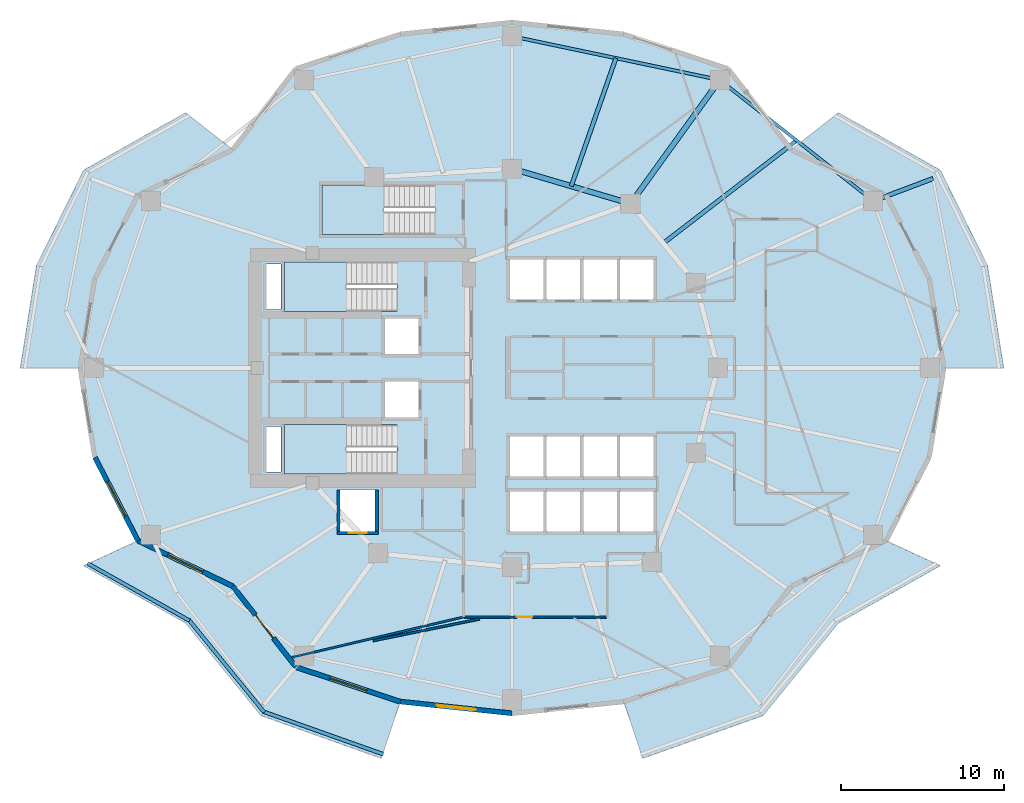
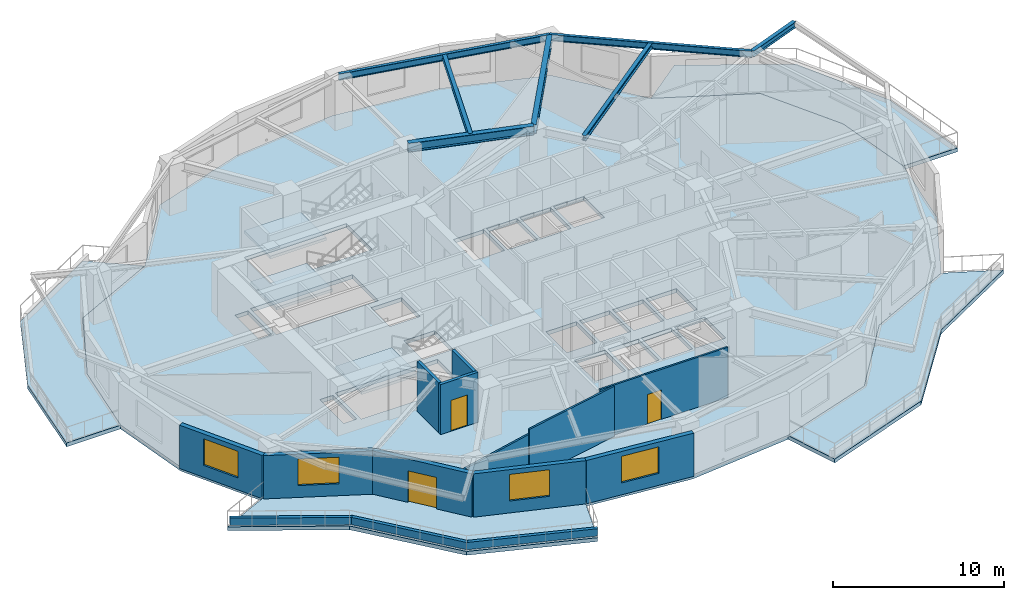
# One storey, part 2 of 11: 14 walls, 8 slabs, 7 beams, 4 windows, 3 doors, 7 openings, 3 elements without a shape of their own.
"""IFC4 building model written with IfcOpenShell, lengths in metres."""

from ifc_helpers import new_model, si_unit, direction, frame, frame_2d, origin, origin_2d, place, context, subcontext, project, spatial, polyline, rectangle, i_section, outline, extrude, material, layer, layer_set, material_profile, profile_set, type_object, element, fill, aggregate, save


model = new_model("IFC4")

# Units and contexts
model_context = context("Model", 3, precision=1e-05, world=origin(), true_north=direction((0.0, 1.0)))
body_context = subcontext(model_context, "Body", "Model", "MODEL_VIEW")
ifc_project = project(units=[si_unit("LENGTHUNIT", "METRE"), si_unit("AREAUNIT", "SQUARE_METRE"), si_unit("VOLUMEUNIT", "CUBIC_METRE"), si_unit("PLANEANGLEUNIT", "RADIAN"), si_unit("MASSUNIT", "GRAM", prefix="KILO")], contexts=[model_context])

# Site, building, storey
site_placement = place(None, origin())
site = spatial("IfcSite", under=ifc_project, at=site_placement, CompositionType="ELEMENT")
building_placement = place(site_placement, origin())
building = spatial("IfcBuilding", under=site, at=building_placement, Name="Kolvaren Gate Tower and Convention Centre", CompositionType="ELEMENT")
storey_placement = place(building_placement, frame((0.0, 0.0, 88.10009765625)))
storey = spatial("IfcBuildingStorey", under=building, at=storey_placement, Name="L21", CompositionType="ELEMENT", Elevation=88.10009765625)

# Beams
ifc_material_1 = material(Name="Structural steel ASTM A992 Grade 345 MPa", Category="steel")
ifc_material_profile_1 = material_profile(ifc_material_1, i_section(OverallWidth=0.260009765625, OverallDepth=0.419921875, WebThickness=0.013427734375, FlangeThickness=0.0224609375, at=origin_2d()), Name="W410X132")
ifc_profile_set_1 = profile_set([ifc_material_profile_1], Name="Structural steel ASTM A992 Grade 345 MPa")
beam_type_1 = type_object("IfcBeamType", Name="STR-BM-W410X132", PredefinedType="BEAM", material=ifc_profile_set_1)
beam_1_placement = place(storey_placement, frame((52.248779296875, 37.218505859375, 3.3603515625), z_axis=(0.935601718951, 0.353057252434, 0.0), x_axis=(-0.353057252434, 0.935601718951, 0.0)))
element("IfcBeam", 1, at=beam_1_placement, inside=storey, type_object=beam_type_1, Name="Tower L22 Planted Balcony Outrigger Cantilever BC-1B", PredefinedType="BEAM", context=body_context, shape_type="SweptSolid", body=[
    extrude(i_section(OverallWidth=0.260009765625, OverallDepth=0.419921875, WebThickness=0.013427734375, FlangeThickness=0.0224609375, at=origin_2d()), origin(), (0.0, 0.0, 1.0), 3.900146484375),
])
ifc_material_profile_2 = material_profile(ifc_material_1, i_section(OverallWidth=0.327880859375, OverallDepth=0.6279296875, WebThickness=0.0166015625, FlangeThickness=0.027587890625, at=origin_2d()), Name="W610X217")
ifc_profile_set_2 = profile_set([ifc_material_profile_2], Name="Structural steel ASTM A992 Grade 345 MPa")
beam_type_2 = type_object("IfcBeamType", Name="STR-BM-W610X217", PredefinedType="BEAM", material=ifc_profile_set_2)
beam_2_placement = place(storey_placement, frame((37.381591796875, 37.054931640625, 3.255859375), z_axis=(-0.958980837827, 0.283470902706, 0.0), x_axis=(-0.283470902706, -0.958980837827, 0.0)))
element("IfcBeam", 2, at=beam_2_placement, inside=storey, type_object=beam_type_2, Name="Tower L21 Primary Ring Girder G-03", PredefinedType="BEAM", context=body_context, shape_type="SweptSolid", body=[
    extrude(i_section(OverallWidth=0.327880859375, OverallDepth=0.6279296875, WebThickness=0.0166015625, FlangeThickness=0.027587890625, at=origin_2d()), origin(), (0.0, 0.0, 1.0), 7.56689453125),
])
beam_3_placement = place(storey_placement, frame((37.381591796875, 37.054931640625, 3.255859375), z_axis=(0.585207971848, 0.810883240477, 0.0), x_axis=(-0.810883240477, 0.585207971848, 0.0)))
element("IfcBeam", 3, at=beam_3_placement, inside=storey, type_object=beam_type_2, Name="Tower L21 Radial Floor Girder RB-03", PredefinedType="BEAM", context=body_context, shape_type="SweptSolid", body=[
    extrude(i_section(OverallWidth=0.327880859375, OverallDepth=0.6279296875, WebThickness=0.0166015625, FlangeThickness=0.027587890625, at=origin_2d()), origin(), (0.0, 0.0, 1.0), 9.33837890625),
])
ifc_material_profile_3 = material_profile(ifc_material_1, i_section(OverallWidth=0.2548828125, OverallDepth=0.35693359375, WebThickness=0.010498046875, FlangeThickness=0.018310546875, at=origin_2d()), Name="W360X101")
ifc_profile_set_3 = profile_set([ifc_material_profile_3], Name="Structural steel ASTM A992 Grade 345 MPa")
beam_type_3 = type_object("IfcBeamType", Name="STR-JS-W360X101", PredefinedType="JOIST", material=ifc_profile_set_3)
beam_4_placement = place(storey_placement, frame((39.3818359375, 34.627197265625, 3.391357421875), z_axis=(0.791953664744, 0.610581192716, 0.0), x_axis=(-0.610581192716, 0.791953664744, 0.0)))
element("IfcBeam", 4, at=beam_4_placement, inside=storey, type_object=beam_type_3, Name="Tower L21 Secondary Composite Floor Joist J-02.1", PredefinedType="JOIST", context=body_context, shape_type="SweptSolid", body=[
    extrude(i_section(OverallWidth=0.2548828125, OverallDepth=0.35693359375, WebThickness=0.010498046875, FlangeThickness=0.018310546875, at=origin_2d()), origin(), (0.0, 0.0, 1.0), 10.31103515625),
])
beam_5_placement = place(storey_placement, frame((33.75341796875, 38.12744140625, 3.391357421875), z_axis=(0.329233693857, 0.944248470917, 0.0), x_axis=(-0.944248470917, 0.329233693857, 0.0)))
element("IfcBeam", 5, at=beam_5_placement, inside=storey, type_object=beam_type_3, Name="Tower L21 Secondary Composite Floor Joist J-03.1", PredefinedType="JOIST", context=body_context, shape_type="SweptSolid", body=[
    extrude(i_section(OverallWidth=0.2548828125, OverallDepth=0.35693359375, WebThickness=0.010498046875, FlangeThickness=0.018310546875, at=origin_2d()), origin(), (0.0, 0.0, 1.0), 8.298583984375),
])
ifc_material_profile_4 = material_profile(ifc_material_1, i_section(OverallWidth=0.194091796875, OverallDepth=0.468994140625, WebThickness=0.0126953125, FlangeThickness=0.0205078125, at=origin_2d()), Name="W460X106")
ifc_profile_set_4 = profile_set([ifc_material_profile_4], Name="Structural steel ASTM A992 Grade 345 MPa")
beam_type_4 = type_object("IfcBeamType", Name="STR-SP-W460X106", PredefinedType="SPANDREL", material=ifc_profile_set_4)
beam_6_placement = place(storey_placement, frame((52.248779296875, 37.218505859375, 3.33544921875), z_axis=(-0.785459824636, 0.618912646407, 0.0), x_axis=(-0.618912646407, -0.785459824636, 0.0)))
element("IfcBeam", 6, at=beam_6_placement, inside=storey, type_object=beam_type_4, Name="Tower L21 Perimeter Spandrel Beam SP-02", PredefinedType="SPANDREL", context=body_context, shape_type="SweptSolid", body=[
    extrude(i_section(OverallWidth=0.194091796875, OverallDepth=0.468994140625, WebThickness=0.0126953125, FlangeThickness=0.0205078125, at=origin_2d()), origin(), (0.0, 0.0, 1.0), 11.970458984375),
])
beam_7_placement = place(storey_placement, frame((42.846435546875, 44.627197265625, 3.33544921875), z_axis=(-0.978632602148, 0.205616706552, 0.0), x_axis=(-0.205616706552, -0.978632602148, 0.0)))
element("IfcBeam", 7, at=beam_7_placement, inside=storey, type_object=beam_type_4, Name="Tower L21 Perimeter Spandrel Beam SP-03", PredefinedType="SPANDREL", context=body_context, shape_type="SweptSolid", body=[
    extrude(i_section(OverallWidth=0.194091796875, OverallDepth=0.468994140625, WebThickness=0.0126953125, FlangeThickness=0.0205078125, at=origin_2d()), origin(), (0.0, 0.0, 1.0), 12.999267578125),
])

# Slabs
ifc_material_2 = material(Name="Concrete C50/60", Category="concrete")
ifc_layer_1 = layer(ifc_material_2, 0.27001953125)
ifc_layer_set_1 = layer_set([ifc_layer_1], Name="Concrete C50/60")
slab_type_1 = type_object("IfcSlabType", Name="STR-SL-BALC-270", PredefinedType="FLOOR", material=ifc_layer_set_1)
slab_1_placement = place(storey_placement, frame((0.0, 0.0, -0.27001953125)))
element("IfcSlab", 8, at=slab_1_placement, inside=storey, type_object=slab_type_1, Name="Tower L21 Planted Balcony Terrace Slab 1 (East)", PredefinedType="FLOOR", context=body_context, shape_type="SweptSolid", body=[
    extrude(outline(polyline([(56.5625, 27.0), (55.66162109375, 32.47412109375), (53.0205078125, 37.574951171875), (47.223876953125, 40.360107421875), (50.10791015625, 42.613525390625), (56.34326171875, 39.109619140625), (59.240478515625, 33.2412109375), (60.222412109375, 27.0), (56.5625, 27.0)])), origin(), (0.0, 0.0, 1.0), 0.27001953125),
])
slab_2_placement = place(storey_placement, frame((0.0, 0.0, -0.27001953125)))
element("IfcSlab", 9, at=slab_2_placement, inside=storey, type_object=slab_type_1, Name="Tower L21 Planted Balcony Terrace Slab 2 (West)", PredefinedType="FLOOR", context=body_context, shape_type="SweptSolid", body=[
    extrude(outline(polyline([(13.026123046875, 40.360107421875), (7.2294921875, 37.574951171875), (4.58837890625, 32.47412109375), (3.6875, 27.0), (0.027587890625, 27.0), (1.009521484375, 33.2412109375), (3.90673828125, 39.109619140625), (10.14208984375, 42.613525390625), (13.026123046875, 40.360107421875)])), origin(), (0.0, 0.0, 1.0), 0.27001953125),
])
slab_3_placement = place(storey_placement, frame((0.0, 0.0, -0.27001953125)))
element("IfcSlab", 10, at=slab_3_placement, inside=storey, type_object=slab_type_1, Name="Tower L21 Planted Balcony Terrace Slab 3 (South)", PredefinedType="FLOOR", context=body_context, shape_type="SweptSolid", body=[
    extrude(outline(polyline([(7.2294921875, 16.425048828125), (13.026123046875, 13.639892578125), (16.90625, 8.68359375), (23.282470703125, 6.57080078125), (22.1201171875, 3.10009765625), (14.764404296875, 5.7158203125), (10.14208984375, 11.386474609375), (3.90673828125, 14.890380859375), (7.2294921875, 16.425048828125)])), origin(), (0.0, 0.0, 1.0), 0.27001953125),
])
slab_4_placement = place(storey_placement, frame((0.0, 0.0, -0.27001953125)))
element("IfcSlab", 11, at=slab_4_placement, inside=storey, type_object=slab_type_1, Name="Tower L21 Planted Balcony Terrace Slab 4 (South)", PredefinedType="FLOOR", context=body_context, shape_type="SweptSolid", body=[
    extrude(outline(polyline([(36.967529296875, 6.57080078125), (43.34375, 8.68359375), (47.223876953125, 13.639892578125), (53.0205078125, 16.425048828125), (56.34326171875, 14.890380859375), (50.10791015625, 11.386474609375), (45.485595703125, 5.7158203125), (38.1298828125, 3.10009765625), (36.967529296875, 6.57080078125)])), origin(), (0.0, 0.0, 1.0), 0.27001953125),
])
ifc_layer_2 = layer(ifc_material_2, 0.280029296875)
ifc_layer_set_2 = layer_set([ifc_layer_2], Name="Concrete C50/60")
slab_type_2 = type_object("IfcSlabType", Name="STR-SL-FLR-280", PredefinedType="FLOOR", material=ifc_layer_set_2)
slab_5_placement = place(storey_placement, frame((0.0, 0.0, -0.280029296875)))
element("IfcSlab", 12, at=slab_5_placement, inside=storey, type_object=slab_type_2, Name="Tower L21 Structural Floor Slab", PredefinedType="FLOOR", context=body_context, shape_type="SweptSolid", body=[
    extrude(outline(polyline([(56.5625, 27.0), (55.66162109375, 32.47412109375), (53.0205078125, 37.574951171875), (47.223876953125, 40.360107421875), (43.34375, 45.31640625), (36.967529296875, 47.42919921875), (30.125, 48.14990234375), (23.282470703125, 47.42919921875), (16.90625, 45.31640625), (13.026123046875, 40.360107421875), (7.2294921875, 37.574951171875), (4.58837890625, 32.47412109375), (3.6875, 27.0), (4.58837890625, 21.52587890625), (7.2294921875, 16.425048828125), (13.026123046875, 13.639892578125), (16.90625, 8.68359375), (23.282470703125, 6.57080078125), (30.125, 5.85009765625), (36.967529296875, 6.57080078125), (43.34375, 8.68359375), (47.223876953125, 13.639892578125), (53.0205078125, 16.425048828125), (55.66162109375, 21.52587890625), (56.5625, 27.0)]), holes=[polyline([(36.75, 33.64990234375), (38.800048828125, 33.64990234375), (38.800048828125, 31.199951171875), (36.75, 31.199951171875), (36.75, 33.64990234375)]), polyline([(36.75, 20.35009765625), (36.75, 22.800048828125), (38.800048828125, 22.800048828125), (38.800048828125, 20.35009765625), (36.75, 20.35009765625)]), polyline([(36.75, 17.0), (36.75, 19.449951171875), (38.800048828125, 19.449951171875), (38.800048828125, 17.0), (36.75, 17.0)]), polyline([(34.5, 33.64990234375), (36.550048828125, 33.64990234375), (36.550048828125, 31.199951171875), (34.5, 31.199951171875), (34.5, 33.64990234375)]), polyline([(34.5, 22.800048828125), (36.550048828125, 22.800048828125), (36.550048828125, 20.35009765625), (34.5, 20.35009765625), (34.5, 22.800048828125)]), polyline([(34.5, 17.0), (34.5, 19.449951171875), (36.550048828125, 19.449951171875), (36.550048828125, 17.0), (34.5, 17.0)]), polyline([(32.25, 31.199951171875), (32.25, 33.64990234375), (34.300048828125, 33.64990234375), (34.300048828125, 31.199951171875), (32.25, 31.199951171875)]), polyline([(32.25, 22.800048828125), (34.300048828125, 22.800048828125), (34.300048828125, 20.35009765625), (32.25, 20.35009765625), (32.25, 22.800048828125)]), polyline([(32.25, 17.0), (32.25, 19.449951171875), (34.300048828125, 19.449951171875), (34.300048828125, 17.0), (32.25, 17.0)]), polyline([(30.0, 31.199951171875), (30.0, 33.64990234375), (32.050048828125, 33.64990234375), (32.050048828125, 31.199951171875), (30.0, 31.199951171875)]), polyline([(30.0, 20.35009765625), (30.0, 22.800048828125), (32.050048828125, 22.800048828125), (32.050048828125, 20.35009765625), (30.0, 20.35009765625)]), polyline([(30.0, 17.0), (30.0, 19.449951171875), (32.050048828125, 19.449951171875), (32.050048828125, 17.0), (30.0, 17.0)]), polyline([(25.39990234375, 35.159912109375), (18.5, 35.159912109375), (18.5, 38.199951171875), (25.39990234375, 38.199951171875), (25.39990234375, 35.159912109375)]), polyline([(22.35009765625, 27.840087890625), (22.35009765625, 30.0400390625), (24.39990234375, 30.0400390625), (24.39990234375, 27.840087890625), (22.35009765625, 27.840087890625)]), polyline([(22.35009765625, 23.9599609375), (22.35009765625, 26.159912109375), (24.39990234375, 26.159912109375), (24.39990234375, 23.9599609375), (22.35009765625, 23.9599609375)]), polyline([(23.10009765625, 30.4599609375), (16.199951171875, 30.4599609375), (16.199951171875, 33.5), (23.10009765625, 33.5), (23.10009765625, 30.4599609375)]), polyline([(23.10009765625, 20.5), (16.199951171875, 20.5), (16.199951171875, 23.5400390625), (23.10009765625, 23.5400390625), (23.10009765625, 20.5)]), polyline([(19.60009765625, 17.0), (19.60009765625, 19.550048828125), (21.75, 19.550048828125), (21.75, 17.0), (19.60009765625, 17.0)]), polyline([(15.080078125, 23.419921875), (15.969970703125, 23.419921875), (15.969970703125, 20.6298828125), (15.080078125, 20.6298828125), (15.080078125, 23.419921875)]), polyline([(15.080078125, 30.580078125), (15.080078125, 33.3701171875), (15.969970703125, 33.3701171875), (15.969970703125, 30.580078125), (15.080078125, 30.580078125)])]), origin(), (0.0, 0.0, 1.0), 0.280029296875),
])

# Stair, slab
stair_type = type_object("IfcStairType", Name="STR-STAIR-CORE", PredefinedType="HALF_TURN_STAIR", material=ifc_material_2)
stair_1_placement = place(storey_placement, origin())
stair_1 = element("IfcStair", 13, at=stair_1_placement, inside=storey, type_object=stair_type, Name="L21 Tower North Exit Stair ST-T1", PredefinedType="HALF_TURN_STAIR")
ifc_layer_3 = layer(ifc_material_2, 0.199951171875)
ifc_layer_set_3 = layer_set([ifc_layer_3], Name="Concrete C50/60")
slab_type_3 = type_object("IfcSlabType", Name="STR-SL-LAND-200", PredefinedType="LANDING", material=ifc_layer_set_3)
slab_6_placement = place(storey_placement, frame((0.0, 0.0, 1.724853515625)))
slab_6 = element("IfcSlab", 14, at=slab_6_placement, type_object=slab_type_3, Name="ST-T1 landing 1", PredefinedType="LANDING", context=body_context, shape_type="SweptSolid", body=[
    extrude(outline(polyline([(20.0, 33.5), (16.199951171875, 33.5), (16.199951171875, 30.4599609375), (20.0, 30.4599609375), (20.0, 33.5)])), origin(), (0.0, 0.0, 1.0), 0.199951171875),
])
aggregate(stair_1, [slab_6])

stair_2_placement = place(storey_placement, origin())
stair_2 = element("IfcStair", 15, at=stair_2_placement, inside=storey, type_object=stair_type, Name="L21 Tower South Exit Stair ST-T2", PredefinedType="HALF_TURN_STAIR")
slab_7_placement = place(storey_placement, frame((0.0, 0.0, 1.724853515625)))
slab_7 = element("IfcSlab", 16, at=slab_7_placement, type_object=slab_type_3, Name="ST-T2 landing 1", PredefinedType="LANDING", context=body_context, shape_type="SweptSolid", body=[
    extrude(outline(polyline([(20.0, 23.5400390625), (16.199951171875, 23.5400390625), (16.199951171875, 20.5), (20.0, 20.5), (20.0, 23.5400390625)])), origin(), (0.0, 0.0, 1.0), 0.199951171875),
])
aggregate(stair_2, [slab_7])

stair_3_placement = place(storey_placement, origin())
stair_3 = element("IfcStair", 17, at=stair_3_placement, inside=storey, type_object=stair_type, Name="L21 Tower Mid-Zone Exit Stair ST-T3", PredefinedType="HALF_TURN_STAIR")
slab_8_placement = place(storey_placement, frame((0.0, 0.0, 1.724853515625)))
slab_8 = element("IfcSlab", 18, at=slab_8_placement, type_object=slab_type_3, Name="ST-T3 landing 1", PredefinedType="LANDING", context=body_context, shape_type="SweptSolid", body=[
    extrude(outline(polyline([(22.300048828125, 38.199951171875), (18.5, 38.199951171875), (18.5, 35.159912109375), (22.300048828125, 35.159912109375), (22.300048828125, 38.199951171875)])), origin(), (0.0, 0.0, 1.0), 0.199951171875),
])
aggregate(stair_3, [slab_8])

# Wall, opening, door
ifc_material_3 = material(Name="Fire-Rated Acoustic Gypsum Stud Partition", Category="gypsum")
ifc_layer_4 = layer(ifc_material_3, 0.1201171875)
ifc_layer_set_4 = layer_set([ifc_layer_4], Name="Fire-Rated Acoustic Gypsum Stud Partition")
wall_type_1 = type_object("IfcWallType", Name="ARCH-WL-PART-120", PredefinedType="PARTITIONING", material=ifc_layer_set_4)
wall_1_placement = place(storey_placement, frame((27.241943359375, 11.75, 0.0), z_axis=(0.0, 0.0, 1.0), x_axis=(1.0, 0.0, 0.0)))
wall_1 = element("IfcWall", 19, at=wall_1_placement, inside=storey, type_object=wall_type_1, Name="Interior Partition WL-L21-INT-025", PredefinedType="PARTITIONING", context=body_context, shape_type="SweptSolid", body=[
    extrude(rectangle(XDim=8.64599609375, YDim=0.1201171875, at=frame_2d((4.322998046875, 0.0))), origin(), (0.0, 0.0, 1.0), 3.56982421875),
])
opening_1_placement = place(wall_1_placement, frame((3.185546875, 0.0, 0.0)))
opening_1 = element("IfcOpeningElement", 20, at=opening_1_placement, cuts=wall_1, Name="Opening DR-01", PredefinedType="OPENING", context=body_context, shape_type="SweptSolid", body=[
    extrude(rectangle(XDim=0.949951171875, YDim=2.10009765625, at=frame_2d((0.47509765625, 1.050048828125))), frame((0.0, 0.070068359375, 0.0), z_axis=(0.0, -1.0, 0.0), x_axis=(1.0, 0.0, 0.0)), (0.0, 0.0, 1.0), 0.14013671875),
])
ifc_material_4 = material(Name="Painted Architectural Steelwork ASTM A500 Grade C 345 MPa", Category="steel")
door_type_1 = type_object("IfcDoorType", Name="ARCH-DR-RISER-950", OperationType="SINGLE_SWING_RIGHT", PredefinedType="DOOR", material=ifc_material_4)
door_1_placement = place(opening_1_placement, origin())
door_1 = element("IfcDoor", 21, at=door_1_placement, inside=storey, type_object=door_type_1, Name="Chairman Boardroom Door", OperationType="SINGLE_SWING_RIGHT", OverallHeight=2.10009765625, OverallWidth=0.949951171875, PredefinedType="DOOR", context=body_context, shape_type="SweptSolid", body=[
    extrude(rectangle(XDim=0.949951171875, YDim=2.10009765625, at=frame_2d((0.47509765625, 1.050048828125))), frame((0.0, 0.02490234375, 0.0), z_axis=(0.0, -1.0, 0.0), x_axis=(1.0, 0.0, 0.0)), (0.0, 0.0, 1.0), 0.050048828125),
])
fill(opening_1, door_1)

# Walls
wall_2_placement = place(storey_placement, frame((16.6337890625, 9.278076171875, 0.0), z_axis=(0.0, 0.0, 1.0), x_axis=(0.973467827541, 0.228823925195, 0.0)))
element("IfcWall", 22, at=wall_2_placement, inside=storey, type_object=wall_type_1, Name="Interior Partition WL-L21-INT-051", PredefinedType="PARTITIONING", context=body_context, shape_type="SweptSolid", body=[
    extrude(rectangle(XDim=10.802734375, YDim=0.1201171875, at=frame_2d((5.4013671875, 0.0))), origin(), (0.0, 0.0, 1.0), 3.093017578125),
])
wall_3_placement = place(storey_placement, frame((21.631591796875, 10.298583984375, 0.0), z_axis=(0.0, 0.0, 1.0), x_axis=(0.979686821634, 0.200533616924, 0.0)))
element("IfcWall", 23, at=wall_3_placement, inside=storey, type_object=wall_type_1, Name="Interior Partition WL-L21-INT-052", PredefinedType="PARTITIONING", context=body_context, shape_type="SweptSolid", body=[
    extrude(rectangle(XDim=6.629150390625, YDim=0.1201171875, at=frame_2d((3.314453125, 0.0))), origin(), (0.0, 0.0, 1.0), 3.56982421875),
])
ifc_material_5 = material(Name="Piedmont Cream Honed Limestone Cladding", Category="masonry")
ifc_layer_5 = layer(ifc_material_5, 0.219970703125)
ifc_layer_set_5 = layer_set([ifc_layer_5], Name="Piedmont Cream Honed Limestone Cladding")
wall_type_2 = type_object("IfcWallType", Name="ARCH-WL-PLANTER-220", PredefinedType="PARAPET", material=ifc_layer_set_5)
wall_4_placement = place(storey_placement, frame((4.14697265625, 15.034423828125, 0.0), z_axis=(0.0, 0.0, 1.0), x_axis=(0.871775109335, -0.489906275468, 0.0)))
element("IfcWall", 24, at=wall_4_placement, inside=storey, type_object=wall_type_2, Name="Vertical-Forest Balcony Stone Planter Kerb PK-L21-3.1", PredefinedType="PARAPET", context=body_context, shape_type="SweptSolid", body=[
    extrude(rectangle(XDim=7.152099609375, YDim=0.219970703125, at=frame_2d((3.576171875, 0.0))), origin(), (0.0, 0.0, 1.0), 0.52001953125),
])
wall_5_placement = place(storey_placement, frame((10.335693359375, 11.588623046875, 0.0), z_axis=(0.0, 0.0, 1.0), x_axis=(0.631819273026, -0.775115737315, 0.0)))
element("IfcWall", 25, at=wall_5_placement, inside=storey, type_object=wall_type_2, Name="Vertical-Forest Balcony Stone Planter Kerb PK-L21-3.2", PredefinedType="PARAPET", context=body_context, shape_type="SweptSolid", body=[
    extrude(rectangle(XDim=7.31591796875, YDim=0.219970703125, at=frame_2d((3.657958984375, 0.0))), origin(), (0.0, 0.0, 1.0), 0.52001953125),
])
wall_6_placement = place(storey_placement, frame((14.892822265625, 5.964599609375, 0.0), z_axis=(0.0, 0.0, 1.0), x_axis=(0.942203722205, -0.335040513764, 0.0)))
element("IfcWall", 26, at=wall_6_placement, inside=storey, type_object=wall_type_2, Name="Vertical-Forest Balcony Stone Planter Kerb PK-L21-3.3", PredefinedType="PARAPET", context=body_context, shape_type="SweptSolid", body=[
    extrude(rectangle(XDim=7.80712890625, YDim=0.219970703125, at=frame_2d((3.903564453125, 0.0))), origin(), (0.0, 0.0, 1.0), 0.52001953125),
])

# Wall, opening, door
ifc_material_6 = material(Name="Autoclaved Aerated Masonry Blockwork Class 4 (4.0 MPa)", Category="masonry")
ifc_layer_6 = layer(ifc_material_6, 0.199951171875)
ifc_layer_set_6 = layer_set([ifc_layer_6], Name="Autoclaved Aerated Masonry Blockwork Class 4 (4.0 MPa)")
wall_type_3 = type_object("IfcWallType", Name="ARCH-WL-SHAFT-200", PredefinedType="SOLIDWALL", material=ifc_layer_set_6)
wall_7_placement = place(storey_placement, frame((19.39990234375, 16.89990234375, 0.0), z_axis=(0.0, 0.0, 1.0), x_axis=(1.0, 0.0, 0.0)))
wall_7 = element("IfcWall", 27, at=wall_7_placement, inside=storey, type_object=wall_type_3, Name="Elevator SV-01 L21 Fire Shaft Wall S", PredefinedType="SOLIDWALL", context=body_context, shape_type="SweptSolid", body=[
    extrude(rectangle(XDim=2.550048828125, YDim=0.199951171875, at=frame_2d((1.27490234375, 0.0))), origin(), (0.0, 0.0, 1.0), 3.56982421875),
])
opening_2_placement = place(wall_7_placement, frame((0.72509765625, 0.0, 0.0)))
opening_2 = element("IfcOpeningElement", 28, at=opening_2_placement, cuts=wall_7, Name="Opening LD", PredefinedType="OPENING", context=body_context, shape_type="SweptSolid", body=[
    extrude(rectangle(XDim=1.10009765625, YDim=2.199951171875, at=frame_2d((0.550048828125, 1.10009765625))), frame((0.0, 0.10986328125, 0.0), z_axis=(0.0, -1.0, 0.0), x_axis=(1.0, 0.0, 0.0)), (0.0, 0.0, 1.0), 0.219970703125),
])
ifc_material_7 = material(Name="Brushed Stainless Steel Grade 316L", Category="steel")
door_type_2 = type_object("IfcDoorType", Name="ARCH-DR-LIFT-1100", OperationType="SLIDING_TO_LEFT", PredefinedType="DOOR", material=ifc_material_7)
door_2_placement = place(opening_2_placement, origin())
door_2 = element("IfcDoor", 29, at=door_2_placement, inside=storey, type_object=door_type_2, Name="Elevator SV-01 L21 Sliding Landing Door", OperationType="SLIDING_TO_LEFT", OverallHeight=2.199951171875, OverallWidth=1.10009765625, PredefinedType="DOOR", context=body_context, shape_type="SweptSolid", body=[
    extrude(rectangle(XDim=1.10009765625, YDim=2.199951171875, at=frame_2d((0.550048828125, 1.10009765625))), frame((0.0, 0.02490234375, 0.0), z_axis=(0.0, -1.0, 0.0), x_axis=(1.0, 0.0, 0.0)), (0.0, 0.0, 1.0), 0.050048828125),
])
fill(opening_2, door_2)

# Walls
for number, where, z_axis, x_axis, name in (
    (30, (19.5, 17.010009765625, 0.0), (0.0, 0.0, 1.0), (0.0, 1.0, 0.0), "Elevator SV-01 L21 Fire Shaft Wall W"),
    (31, (21.85009765625, 17.010009765625, 0.0), (0.0, 0.0, 1.0), (0.0, 1.0, 0.0), "Elevator SV-01 L21 Fire Shaft Wall E"),
):
    element("IfcWall", number, at=place(storey_placement, frame(where, z_axis=z_axis, x_axis=x_axis)), inside=storey, type_object=wall_type_3, Name=name, PredefinedType="SOLIDWALL", context=body_context, shape_type="SweptSolid", body=[
        extrude(rectangle(XDim=2.530029296875, YDim=0.199951171875, at=frame_2d((1.26513671875, 0.0))), origin(), (0.0, 0.0, 1.0), 3.56982421875),
    ])

# Wall, opening, window
ifc_layer_7 = layer(ifc_material_5, 0.300048828125)
ifc_layer_set_7 = layer_set([ifc_layer_7], Name="Piedmont Cream Honed Limestone Cladding")
wall_type_4 = type_object("IfcWallType", Name="ARCH-WL-STONE-300", PredefinedType="SOLIDWALL", material=ifc_layer_set_7)
wall_8_placement = place(storey_placement, frame((4.58837890625, 21.52587890625, 0.0), z_axis=(0.0, 0.0, 1.0), x_axis=(0.459800981414, -0.888021991558, 0.0)))
wall_8 = element("IfcWall", 32, at=wall_8_placement, inside=storey, type_object=wall_type_4, Name="Tower L21 Honed Stone Spandrel Wall EW-13", PredefinedType="SOLIDWALL", context=body_context, shape_type="SweptSolid", body=[
    extrude(rectangle(XDim=5.744140625, YDim=0.300048828125, at=frame_2d((2.8720703125, 0.0))), origin(), (0.0, 0.0, 1.0), 3.093017578125),
])
opening_3_placement = place(wall_8_placement, frame((1.672119140625, 0.0, 0.85009765625)))
opening_3 = element("IfcOpeningElement", 33, at=opening_3_placement, cuts=wall_8, Name="Opening W-01", PredefinedType="OPENING", context=body_context, shape_type="SweptSolid", body=[
    extrude(rectangle(XDim=2.39990234375, YDim=1.89990234375, at=frame_2d((1.199951171875, 0.949951171875))), frame((0.0, 0.159912109375, 0.0), z_axis=(0.0, -1.0, 0.0), x_axis=(1.0, 0.0, 0.0)), (0.0, 0.0, 1.0), 0.320068359375),
])
ifc_material_8 = material(Name="Low-E Triple Insulated Glazing Unit 44 mm", Category="glass")
window_type = type_object("IfcWindowType", Name="ARCH-WN-OFF-2400", PartitioningType="SINGLE_PANEL", PredefinedType="WINDOW", material=ifc_material_8)
window_1_placement = place(opening_3_placement, origin())
window_1 = element("IfcWindow", 34, at=window_1_placement, inside=storey, type_object=window_type, Name="Tower L21 Punched Stone Facade Window W-13", OverallHeight=1.89990234375, OverallWidth=2.39990234375, PartitioningType="SINGLE_PANEL", PredefinedType="WINDOW", context=body_context, shape_type="SweptSolid", body=[
    extrude(rectangle(XDim=2.39990234375, YDim=1.89990234375, at=frame_2d((1.199951171875, 0.949951171875))), frame((0.0, 0.030029296875, 0.0), z_axis=(0.0, -1.0, 0.0), x_axis=(1.0, 0.0, 0.0)), (0.0, 0.0, 1.0), 0.06005859375),
])
fill(opening_3, window_1)

wall_9_placement = place(storey_placement, frame((7.2294921875, 16.425048828125, 0.0), z_axis=(0.0, 0.0, 1.0), x_axis=(0.901354747727, -0.433081538224, 0.0)))
wall_9 = element("IfcWall", 35, at=wall_9_placement, inside=storey, type_object=wall_type_4, Name="Tower L21 Honed Stone Spandrel Wall EW-14", PredefinedType="SOLIDWALL", context=body_context, shape_type="SweptSolid", body=[
    extrude(rectangle(XDim=6.430908203125, YDim=0.300048828125, at=frame_2d((3.21533203125, 0.0))), origin(), (0.0, 0.0, 1.0), 3.093017578125),
])
opening_4_placement = place(wall_9_placement, frame((2.014892578125, 0.0, 0.85009765625)))
opening_4 = element("IfcOpeningElement", 36, at=opening_4_placement, cuts=wall_9, Name="Opening W-01", PredefinedType="OPENING", context=body_context, shape_type="SweptSolid", body=[
    extrude(rectangle(XDim=2.39990234375, YDim=1.89990234375, at=frame_2d((1.199951171875, 0.949951171875))), frame((0.0, 0.159912109375, 0.0), z_axis=(0.0, -1.0, 0.0), x_axis=(1.0, 0.0, 0.0)), (0.0, 0.0, 1.0), 0.320068359375),
])
window_2_placement = place(opening_4_placement, origin())
window_2 = element("IfcWindow", 37, at=window_2_placement, inside=storey, type_object=window_type, Name="Tower L21 Punched Stone Facade Window W-14", OverallHeight=1.89990234375, OverallWidth=2.39990234375, PartitioningType="SINGLE_PANEL", PredefinedType="WINDOW", context=body_context, shape_type="SweptSolid", body=[
    extrude(rectangle(XDim=2.39990234375, YDim=1.89990234375, at=frame_2d((1.199951171875, 0.949951171875))), frame((0.0, 0.030029296875, 0.0), z_axis=(0.0, -1.0, 0.0), x_axis=(1.0, 0.0, 0.0)), (0.0, 0.0, 1.0), 0.06005859375),
])
fill(opening_4, window_2)

# Wall, opening, door
wall_10_placement = place(storey_placement, frame((13.026123046875, 13.639892578125, 0.0), z_axis=(0.0, 0.0, 1.0), x_axis=(0.616434798832, -0.78740595552, 0.0)))
wall_10 = element("IfcWall", 38, at=wall_10_placement, inside=storey, type_object=wall_type_4, Name="Tower L21 Honed Stone Spandrel Wall EW-15", PredefinedType="SOLIDWALL", context=body_context, shape_type="SweptSolid", body=[
    extrude(rectangle(XDim=6.29443359375, YDim=0.300048828125, at=frame_2d((3.147216796875, 0.0))), origin(), (0.0, 0.0, 1.0), 3.093017578125),
])
opening_5_placement = place(wall_10_placement, frame((2.2470703125, 0.0, 0.0)))
opening_5 = element("IfcOpeningElement", 39, at=opening_5_placement, cuts=wall_10, Name="Opening DB-01", PredefinedType="OPENING", context=body_context, shape_type="SweptSolid", body=[
    extrude(rectangle(XDim=1.800048828125, YDim=2.25, at=frame_2d((0.89990234375, 1.125))), frame((0.0, 0.159912109375, 0.0), z_axis=(0.0, -1.0, 0.0), x_axis=(1.0, 0.0, 0.0)), (0.0, 0.0, 1.0), 0.320068359375),
])
ifc_material_9 = material(Name="Anodized Architectural Aluminium Alloy 6063-T6", Category="aluminium")
door_type_3 = type_object("IfcDoorType", Name="ARCH-DR-BALC-1800", OperationType="SLIDING_TO_LEFT", PredefinedType="DOOR", material=ifc_material_9)
door_3_placement = place(opening_5_placement, frame((1.800048828125, 0.0, 0.0), z_axis=(0.0, 0.0, 1.0), x_axis=(-1.0, 0.0, 0.0)))
door_3 = element("IfcDoor", 40, at=door_3_placement, inside=storey, type_object=door_type_3, Name="Planted Sky Terrace Access Door DB-L21-15", OperationType="SLIDING_TO_LEFT", OverallHeight=2.25, OverallWidth=1.800048828125, PredefinedType="DOOR", context=body_context, shape_type="SweptSolid", body=[
    extrude(rectangle(XDim=1.800048828125, YDim=2.25, at=frame_2d((0.89990234375, 1.125))), frame((0.0, 0.02490234375, 0.0), z_axis=(0.0, -1.0, 0.0), x_axis=(1.0, 0.0, 0.0)), (0.0, 0.0, 1.0), 0.050048828125),
])
fill(opening_5, door_3)

# Wall, opening, window
wall_11_placement = place(storey_placement, frame((16.90625, 8.68359375, 0.0), z_axis=(0.0, 0.0, 1.0), x_axis=(0.949245153629, -0.314537181127, 0.0)))
wall_11 = element("IfcWall", 41, at=wall_11_placement, inside=storey, type_object=wall_type_4, Name="Tower L21 Honed Stone Spandrel Wall EW-16", PredefinedType="SOLIDWALL", context=body_context, shape_type="SweptSolid", body=[
    extrude(rectangle(XDim=6.717041015625, YDim=0.300048828125, at=frame_2d((3.3583984375, 0.0))), origin(), (0.0, 0.0, 1.0), 3.093017578125),
])
opening_6_placement = place(wall_11_placement, frame((2.158935546875, 0.0, 0.85009765625)))
opening_6 = element("IfcOpeningElement", 42, at=opening_6_placement, cuts=wall_11, Name="Opening W-01", PredefinedType="OPENING", context=body_context, shape_type="SweptSolid", body=[
    extrude(rectangle(XDim=2.39990234375, YDim=1.89990234375, at=frame_2d((1.199951171875, 0.949951171875))), frame((0.0, 0.159912109375, 0.0), z_axis=(0.0, -1.0, 0.0), x_axis=(1.0, 0.0, 0.0)), (0.0, 0.0, 1.0), 0.320068359375),
])
window_3_placement = place(opening_6_placement, origin())
window_3 = element("IfcWindow", 43, at=window_3_placement, inside=storey, type_object=window_type, Name="Tower L21 Punched Stone Facade Window W-16", OverallHeight=1.89990234375, OverallWidth=2.39990234375, PartitioningType="SINGLE_PANEL", PredefinedType="WINDOW", context=body_context, shape_type="SweptSolid", body=[
    extrude(rectangle(XDim=2.39990234375, YDim=1.89990234375, at=frame_2d((1.199951171875, 0.949951171875))), frame((0.0, 0.030029296875, 0.0), z_axis=(0.0, -1.0, 0.0), x_axis=(1.0, 0.0, 0.0)), (0.0, 0.0, 1.0), 0.06005859375),
])
fill(opening_6, window_3)

wall_12_placement = place(storey_placement, frame((23.282470703125, 6.57080078125, 0.0), z_axis=(0.0, 0.0, 1.0), x_axis=(0.994498840295, -0.104747585419, 0.0)))
wall_12 = element("IfcWall", 44, at=wall_12_placement, inside=storey, type_object=wall_type_4, Name="Tower L21 Honed Stone Spandrel Wall EW-17", PredefinedType="SOLIDWALL", context=body_context, shape_type="SweptSolid", body=[
    extrude(rectangle(XDim=6.88037109375, YDim=0.300048828125, at=frame_2d((3.440185546875, 0.0))), origin(), (0.0, 0.0, 1.0), 3.093017578125),
])
opening_7_placement = place(wall_12_placement, frame((2.239990234375, 0.0, 0.85009765625)))
opening_7 = element("IfcOpeningElement", 45, at=opening_7_placement, cuts=wall_12, Name="Opening W-01", PredefinedType="OPENING", context=body_context, shape_type="SweptSolid", body=[
    extrude(rectangle(XDim=2.39990234375, YDim=1.89990234375, at=frame_2d((1.199951171875, 0.949951171875))), frame((0.0, 0.159912109375, 0.0), z_axis=(0.0, -1.0, 0.0), x_axis=(1.0, 0.0, 0.0)), (0.0, 0.0, 1.0), 0.320068359375),
])
window_4_placement = place(opening_7_placement, origin())
window_4 = element("IfcWindow", 46, at=window_4_placement, inside=storey, type_object=window_type, Name="Tower L21 Punched Stone Facade Window W-17", OverallHeight=1.89990234375, OverallWidth=2.39990234375, PartitioningType="SINGLE_PANEL", PredefinedType="WINDOW", context=body_context, shape_type="SweptSolid", body=[
    extrude(rectangle(XDim=2.39990234375, YDim=1.89990234375, at=frame_2d((1.199951171875, 0.949951171875))), frame((0.0, 0.030029296875, 0.0), z_axis=(0.0, -1.0, 0.0), x_axis=(1.0, 0.0, 0.0)), (0.0, 0.0, 1.0), 0.06005859375),
])
fill(opening_7, window_4)

save(model, "model.ifc")
